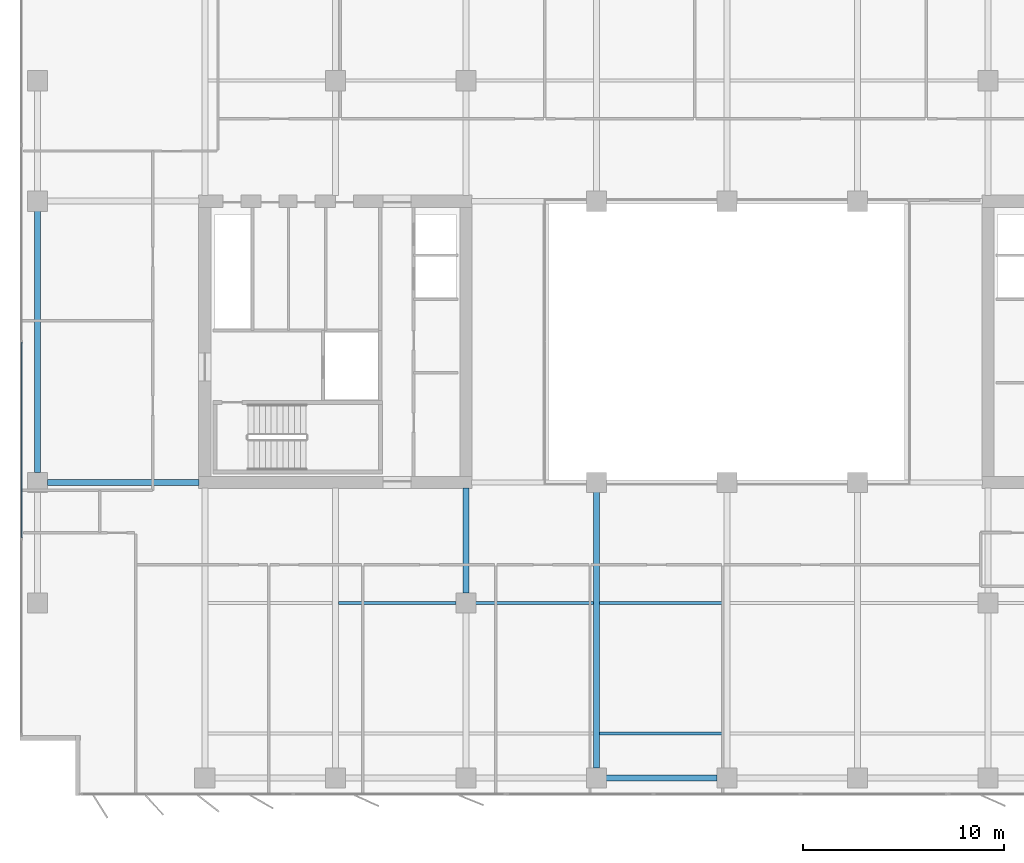
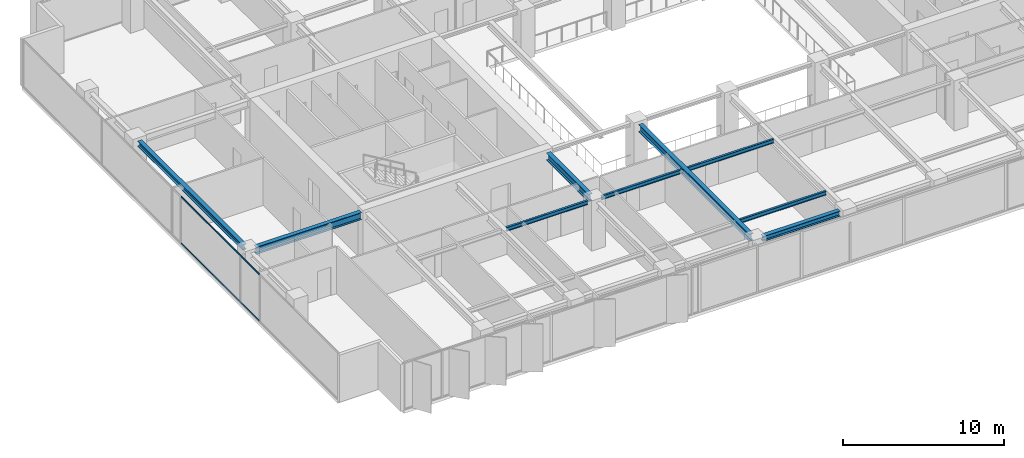
# One storey, part 3 of 22: 9 beams, 2 members, 1 element without a shape of its own.
"""IFC4 building model written with IfcOpenShell, lengths in metres."""

from ifc_helpers import new_model, si_unit, direction, frame, origin, origin_2d, place, context, subcontext, project, spatial, rectangle, i_section, extrude, material, layer, layer_set, material_profile, profile_set, type_object, element, aggregate, save


model = new_model("IFC4")

# Units and contexts
model_context = context("Model", 3, precision=1e-05, world=origin(), true_north=direction((0.0, 1.0)))
body_context = subcontext(model_context, "Body", "Model", "MODEL_VIEW")
ifc_project = project(units=[si_unit("LENGTHUNIT", "METRE"), si_unit("AREAUNIT", "SQUARE_METRE"), si_unit("VOLUMEUNIT", "CUBIC_METRE"), si_unit("PLANEANGLEUNIT", "RADIAN"), si_unit("MASSUNIT", "GRAM", prefix="KILO")], contexts=[model_context])

# Site, building, storey
site_placement = place(None, origin())
site = spatial("IfcSite", under=ifc_project, at=site_placement, CompositionType="ELEMENT")
building_placement = place(site_placement, origin())
building = spatial("IfcBuilding", under=site, at=building_placement, Name="Putna Gate Headquarters", CompositionType="ELEMENT")
storey_placement = place(building_placement, frame((0.0, 0.0, 174.60009765625)))
storey = spatial("IfcBuildingStorey", under=building, at=storey_placement, Name="L43", CompositionType="ELEMENT", Elevation=174.60009765625)

# Beams
ifc_material_1 = material(Name="Steel S355J2", Category="steel")
ifc_material_profile_1 = material_profile(ifc_material_1, i_section(OverallWidth=0.300048828125, OverallDepth=0.550048828125, WebThickness=0.014892578125, FlangeThickness=0.029052734375, at=origin_2d()), Name="Steel S355J2")
ifc_profile_set_1 = profile_set([ifc_material_profile_1], Name="Steel S355J2")
beam_type_1 = type_object("IfcBeamType", Name="BM-GIRD-Z3-HEB550", PredefinedType="USERDEFINED", material=ifc_profile_set_1)
beam_1_placement = place(storey_placement, frame((5.16796875, 19.0, 3.296875), z_axis=(1.0, 0.0, 0.0), x_axis=(0.0, 1.0, 0.0)))
element("IfcBeam", 1, at=beam_1_placement, inside=storey, type_object=beam_type_1, Name="L43 West Wing Girder Y19", ObjectType="GIRDER", PredefinedType="USERDEFINED", context=body_context, shape_type="SweptSolid", body=[
    extrude(i_section(OverallWidth=0.300048828125, OverallDepth=0.550048828125, WebThickness=0.014892578125, FlangeThickness=0.029052734375, at=origin_2d()), origin(), (0.0, 0.0, 1.0), 7.547119140625),
])
beam_2_placement = place(storey_placement, frame((26.0, 13.488037109375, 3.296875), z_axis=(0.0, 1.0, 0.0), x_axis=(-1.0, 0.0, 0.0)))
element("IfcBeam", 2, at=beam_2_placement, inside=storey, type_object=beam_type_1, Name="L43 South Primary Girder X26-2", ObjectType="GIRDER", PredefinedType="USERDEFINED", context=body_context, shape_type="SweptSolid", body=[
    extrude(i_section(OverallWidth=0.300048828125, OverallDepth=0.550048828125, WebThickness=0.014892578125, FlangeThickness=0.029052734375, at=origin_2d()), origin(), (0.0, 0.0, 1.0), 5.22705078125),
])
beam_3_placement = place(storey_placement, frame((32.5, 4.76806640625, 3.296875), z_axis=(0.0, 1.0, 0.0), x_axis=(-1.0, 0.0, 0.0)))
element("IfcBeam", 3, at=beam_3_placement, inside=storey, type_object=beam_type_1, Name="L43 South Primary Girder X32", ObjectType="GIRDER", PredefinedType="USERDEFINED", context=body_context, shape_type="SweptSolid", body=[
    extrude(i_section(OverallWidth=0.300048828125, OverallDepth=0.550048828125, WebThickness=0.014892578125, FlangeThickness=0.029052734375, at=origin_2d()), origin(), (0.0, 0.0, 1.0), 13.743896484375),
])
ifc_material_profile_2 = material_profile(ifc_material_1, i_section(OverallWidth=0.14990234375, OverallDepth=0.300048828125, WebThickness=0.007080078125, FlangeThickness=0.0107421875, at=origin_2d()), Name="Steel S355J2")
ifc_profile_set_2 = profile_set([ifc_material_profile_2], Name="Steel S355J2")
beam_type_2 = type_object("IfcBeamType", Name="BM-SEC-Z3-IPE300", PredefinedType="JOIST", material=ifc_profile_set_2)
for number, where, z_axis, x_axis, name in (
    (4, (19.654052734375, 13.0, 3.421875), (1.0, 0.0, 0.0), (0.0, 1.0, 0.0), "L43 South Secondary Beam 2"),
    (5, (26.488037109375, 13.0, 3.421875), (1.0, 0.0, 0.0), (0.0, 1.0, 0.0), "L43 South Secondary Beam 3"),
):
    element("IfcBeam", number, at=place(storey_placement, frame(where, z_axis=z_axis, x_axis=x_axis)), inside=storey, type_object=beam_type_2, Name=name, PredefinedType="JOIST", context=body_context, shape_type="SweptSolid", body=[
        extrude(i_section(OverallWidth=0.14990234375, OverallDepth=0.300048828125, WebThickness=0.007080078125, FlangeThickness=0.0107421875, at=origin_2d()), origin(), (0.0, 0.0, 1.0), 5.85791015625),
    ])
for number, where, z_axis, x_axis, name in (
    (6, (32.654052734375, 6.5, 3.421875), (1.0, 0.0, 0.0), (0.0, 1.0, 0.0), "L43 South Secondary Beam 4"),
    (7, (32.654052734375, 13.0, 3.421875), (1.0, 0.0, 0.0), (0.0, 1.0, 0.0), "L43 South Secondary Beam 4"),
):
    element("IfcBeam", number, at=place(storey_placement, frame(where, z_axis=z_axis, x_axis=x_axis)), inside=storey, type_object=beam_type_2, Name=name, PredefinedType="JOIST", context=body_context, shape_type="SweptSolid", body=[
        extrude(i_section(OverallWidth=0.14990234375, OverallDepth=0.300048828125, WebThickness=0.007080078125, FlangeThickness=0.0107421875, at=origin_2d()), origin(), (0.0, 0.0, 1.0), 6.19189453125),
    ])
ifc_material_profile_3 = material_profile(ifc_material_1, i_section(OverallWidth=0.300048828125, OverallDepth=0.39990234375, WebThickness=0.013427734375, FlangeThickness=0.02392578125, at=origin_2d()), Name="Steel S355J2")
ifc_profile_set_3 = profile_set([ifc_material_profile_3], Name="Steel S355J2")
beam_type_3 = type_object("IfcBeamType", Name="BM-SPAN-Z3-HEB400", PredefinedType="SPANDREL", material=ifc_profile_set_3)
beam_4_placement = place(storey_placement, frame((32.988037109375, 4.280029296875, 3.371826171875), z_axis=(1.0, 0.0, 0.0), x_axis=(0.0, 1.0, 0.0)))
element("IfcBeam", 8, at=beam_4_placement, inside=storey, type_object=beam_type_3, Name="L43 S Perimeter Spandrel 4", PredefinedType="SPANDREL", context=body_context, shape_type="SweptSolid", body=[
    extrude(i_section(OverallWidth=0.300048828125, OverallDepth=0.39990234375, WebThickness=0.013427734375, FlangeThickness=0.02392578125, at=origin_2d()), origin(), (0.0, 0.0, 1.0), 5.52392578125),
])
beam_5_placement = place(storey_placement, frame((4.679931640625, 19.488037109375, 3.371826171875), z_axis=(0.0, 1.0, 0.0), x_axis=(-1.0, 0.0, 0.0)))
element("IfcBeam", 9, at=beam_5_placement, inside=storey, type_object=beam_type_3, Name="L43 W End Spandrel 2", PredefinedType="SPANDREL", context=body_context, shape_type="SweptSolid", body=[
    extrude(i_section(OverallWidth=0.300048828125, OverallDepth=0.39990234375, WebThickness=0.013427734375, FlangeThickness=0.02392578125, at=origin_2d()), origin(), (0.0, 0.0, 1.0), 13.02392578125),
])

# Curtain wall, members
ifc_material_2 = material(Name="Anodised bronze aluminium curtain wall", Category="aluminium")
ifc_layer = layer(ifc_material_2, 0.159912109375)
ifc_layer_set = layer_set([ifc_layer], Name="Anodised bronze aluminium curtain wall")
curtain_wall_type = type_object("IfcCurtainWallType", Name="CW-SYS-Z3", PredefinedType="USERDEFINED", material=ifc_layer_set)
curtain_wall_placement = place(storey_placement, origin())
curtain_wall = element("IfcCurtainWall", 10, at=curtain_wall_placement, inside=storey, type_object=curtain_wall_type, Name="L43 West Curtain Wall", ObjectType="STICK CURTAIN WALL", PredefinedType="USERDEFINED")
ifc_material_3 = material(Name="Anodised bronze aluminium EN AW-6060", Category="aluminium")
ifc_material_profile_4 = material_profile(ifc_material_3, rectangle(XDim=0.06005859375, YDim=0.10009765625, at=origin_2d()), Name="Anodised bronze aluminium EN AW-6060")
ifc_profile_set_4 = profile_set([ifc_material_profile_4], Name="Anodised bronze aluminium EN AW-6060")
member_type = type_object("IfcMemberType", Name="TRAN-CWT-3", PredefinedType="USERDEFINED", material=ifc_profile_set_4)
member_1_placement = place(storey_placement, frame((3.8798828125, 16.232421875, 0.02978515625), z_axis=(0.0, 1.0, 0.0), x_axis=(-1.0, 0.0, 0.0)))
member_1 = element("IfcMember", 11, at=member_1_placement, type_object=member_type, Name="CWS-3 transom 2.1", ObjectType="TRANSOM", PredefinedType="USERDEFINED", context=body_context, shape_type="SweptSolid", body=[
    extrude(rectangle(XDim=0.06005859375, YDim=0.10009765625, at=origin_2d()), origin(), (0.0, 0.0, 1.0), 9.735107421875),
])
member_2_placement = place(storey_placement, frame((3.8798828125, 16.232421875, 3.5419921875), z_axis=(0.0, 1.0, 0.0), x_axis=(-1.0, 0.0, 0.0)))
member_2 = element("IfcMember", 12, at=member_2_placement, type_object=member_type, Name="CWS-3 transom 2.2", ObjectType="TRANSOM", PredefinedType="USERDEFINED", context=body_context, shape_type="SweptSolid", body=[
    extrude(rectangle(XDim=0.06005859375, YDim=0.10009765625, at=origin_2d()), origin(), (0.0, 0.0, 1.0), 9.735107421875),
])
aggregate(curtain_wall, [member_1, member_2])

save(model, "model.ifc")
